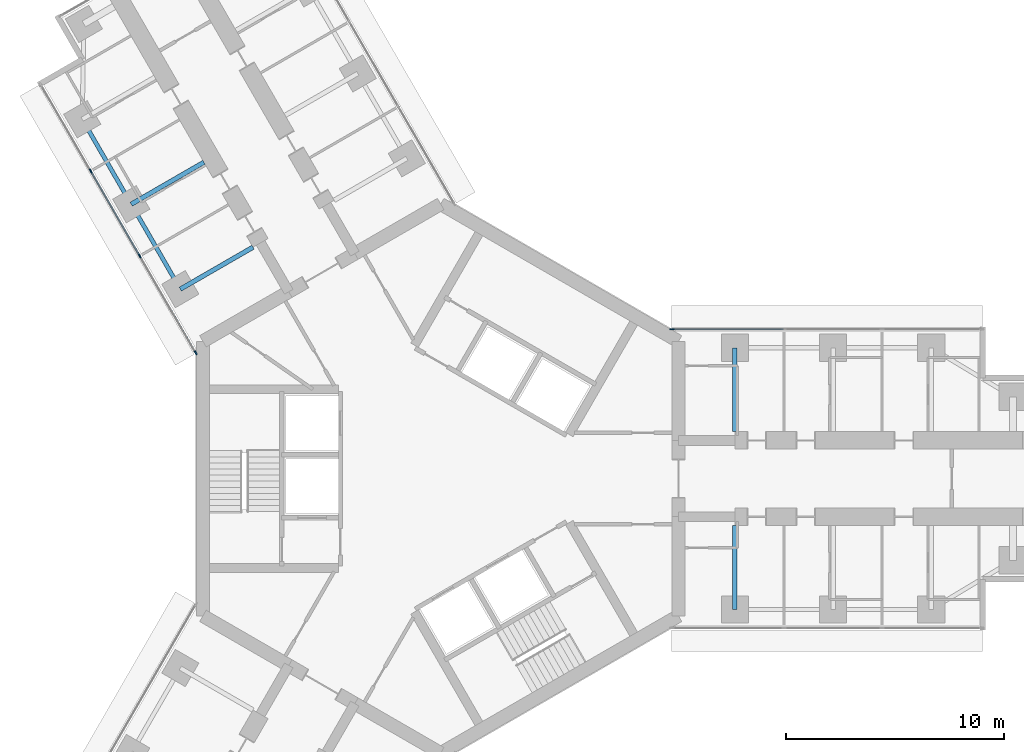
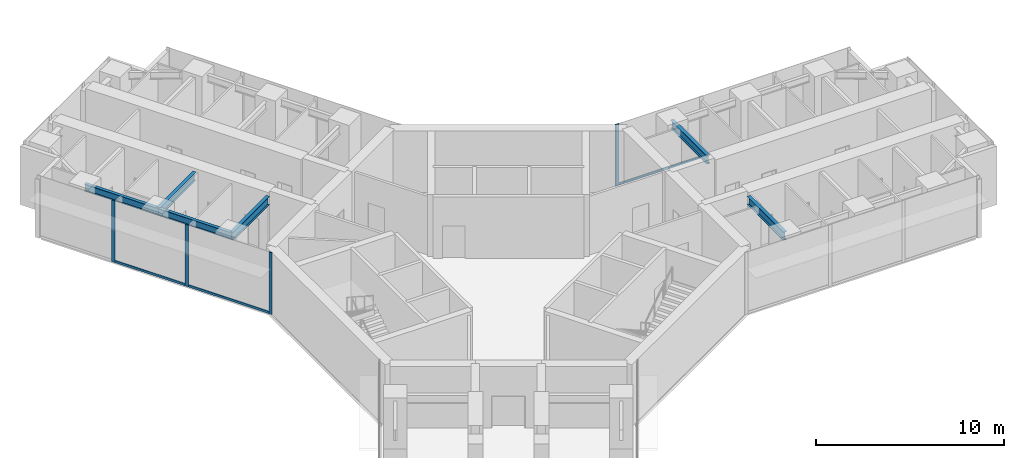
# One storey, part 5 of 23: 7 members, 6 beams, 2 elements without a shape of their own.
"""IFC4 building model written with IfcOpenShell, lengths in metres."""

import ifcopenshell
import ifcopenshell.guid

model = None  # the IFC model being written
_history = None  # IfcOwnerHistory: only IFC2X3 demands one
_inside = {}  # id of a spatial element -> (the spatial element, [elements in it])
_under = {}  # id of a project, library or spatial element -> (it, [spatial elements below it])
_declared = {}  # id of a project -> (the project, [libraries it declares])
_typed = {}  # id of a type object -> (the type object, [elements of that type])
_made_of = {}  # id of a material, layer set ... -> (it, [elements and type objects made of it])


def new_model(schema):
    """Start an empty IFC model of exactly this schema.

    Asked for "IFC4X3", IfcOpenShell would pick the latest addendum, in which some entities
    have other attributes; the version numbers below select the first issue.
    IFC2X3 requires an IfcOwnerHistory on every rooted entity: one is made here for all.
    """
    global model, _history
    if schema == "IFC4X3":
        model = ifcopenshell.file(schema_version=(4, 3, 0, 0))
    else:
        model = ifcopenshell.file(schema=schema)
    _inside.clear()
    _under.clear()
    _declared.clear()
    _typed.clear()
    _made_of.clear()
    _history = None
    if model.schema == "IFC2X3":
        org = make("IfcOrganization", Name="unknown")
        user = make(
            "IfcPersonAndOrganization",
            ThePerson=make("IfcPerson", FamilyName="unknown"),
            TheOrganization=org,
        )
        app = make(
            "IfcApplication",
            ApplicationDeveloper=org,
            Version="unknown",
            ApplicationFullName="unknown",
            ApplicationIdentifier="unknown",
        )
        _history = make(
            "IfcOwnerHistory",
            OwningUser=user,
            OwningApplication=app,
            ChangeAction="ADDED",
            CreationDate=0,
        )
    return model


def make(cls, **values):
    """One entity of the class cls with the attributes given. An attribute that is None is left unset."""
    return model.create_entity(
        cls, **{name: value for name, value in values.items() if value is not None}
    )


def rooted(cls, **values):
    """An entity with a GlobalId (a new one), such as an element, a storey or a relation."""
    return make(cls, GlobalId=ifcopenshell.guid.new(), OwnerHistory=_history, **values)


def si_unit(unit_type, name, prefix=None):
    """IfcSIUnit, for example si_unit("LENGTHUNIT", "METRE", prefix="MILLI")."""
    return make("IfcSIUnit", UnitType=unit_type, Prefix=prefix, Name=name)


def assignment(units):
    """IfcUnitAssignment: the units of a project."""
    return None if units is None else make("IfcUnitAssignment", Units=units)


def point(xyz):
    """IfcCartesianPoint."""
    return None if xyz is None else make("IfcCartesianPoint", Coordinates=xyz)


def direction(xyz):
    """IfcDirection."""
    return None if xyz is None else make("IfcDirection", DirectionRatios=xyz)


def frame(location, z_axis=None, x_axis=None):
    """IfcAxis2Placement3D, a coordinate frame: its origin and axes. An axis left out is left unset."""
    return make(
        "IfcAxis2Placement3D",
        Location=point(location),
        Axis=direction(z_axis),
        RefDirection=direction(x_axis),
    )


def frame_2d(location, x_axis=None):
    """IfcAxis2Placement2D, a coordinate frame in the plane: its origin and x axis."""
    return make(
        "IfcAxis2Placement2D", Location=point(location), RefDirection=direction(x_axis)
    )


def origin():
    """The frame at (0, 0, 0) with its axes left unset."""
    return frame((0.0, 0.0, 0.0))


def origin_2d():
    """The frame at (0, 0) in the plane with its x axis left unset."""
    return frame_2d((0.0, 0.0))


def place(relative_to, where):
    """IfcLocalPlacement: puts the frame where relative to a parent placement (None: the world)."""
    return make(
        "IfcLocalPlacement", PlacementRelTo=relative_to, RelativePlacement=where
    )


def context(
    kind, dimensions, precision=None, world=None, true_north=None, identifier=None
):
    """IfcGeometricRepresentationContext, for example the 3D "Model" context."""
    return make(
        "IfcGeometricRepresentationContext",
        ContextIdentifier=identifier,
        ContextType=kind,
        CoordinateSpaceDimension=dimensions,
        Precision=precision,
        WorldCoordinateSystem=world,
        TrueNorth=true_north,
    )


def subcontext(parent, identifier, kind, view, scale=None):
    """IfcGeometricRepresentationSubContext, for example "Body" below "Model"."""
    return make(
        "IfcGeometricRepresentationSubContext",
        ContextIdentifier=identifier,
        ContextType=kind,
        ParentContext=parent,
        TargetScale=scale,
        TargetView=view,
    )


def project(units=None, contexts=None):
    """IfcProject with its units and contexts."""
    return rooted(
        "IfcProject",
        Name="project",
        RepresentationContexts=contexts,
        UnitsInContext=assignment(units),
    )


def spatial(cls, under=None, at=None, **own):
    """A site, building, storey or space (cls), placed at a placement, below another one or the project."""
    s = rooted(cls, ObjectPlacement=at, **own)
    if under is not None:
        _under.setdefault(under.id(), (under, []))[1].append(s)
    return s


def profile(cls, at=None, kind="AREA", **sizes):
    """A parametric profile (cls). Its sizes go by their IFC names, for example OverallWidth=200.0."""
    return make(cls, ProfileType=kind, Position=at, **sizes)


def rectangle(**sizes):
    """IfcRectangleProfileDef."""
    return profile("IfcRectangleProfileDef", **sizes)


def i_section(**sizes):
    """IfcIShapeProfileDef."""
    return profile("IfcIShapeProfileDef", **sizes)


def extrude(swept, where, along, depth):
    """IfcExtrudedAreaSolid: the profile swept, set in the frame where, extruded along a direction by depth."""
    return make(
        "IfcExtrudedAreaSolid",
        SweptArea=swept,
        Position=where,
        ExtrudedDirection=direction(along),
        Depth=depth,
    )


def shape(context_of_items, identifier, shape_type, items):
    """IfcShapeRepresentation: the items that make up one representation, for example the "Body"."""
    return make(
        "IfcShapeRepresentation",
        ContextOfItems=context_of_items,
        RepresentationIdentifier=identifier,
        RepresentationType=shape_type,
        Items=items,
    )


def material(Name=None, Category=None):
    """IfcMaterial."""
    return make("IfcMaterial", Name=Name, Category=Category)


def material_profile(
    of_material, cross_section, Name=None, Category=None, Priority=None
):
    """IfcMaterialProfile: a cross section and its material."""
    return make(
        "IfcMaterialProfile",
        Name=Name,
        Material=of_material,
        Profile=cross_section,
        Priority=Priority,
        Category=Category,
    )


def profile_set(profiles, Name=None, composite=None):
    """IfcMaterialProfileSet."""
    return make(
        "IfcMaterialProfileSet",
        Name=Name,
        MaterialProfiles=profiles,
        CompositeProfile=composite,
    )


def made_of(thing, what):
    """Note that an element or type object is made of a material, layer set ...; save() writes the relation."""
    if what is not None:
        _made_of.setdefault(what.id(), (what, []))[1].append(thing)
    return thing


def type_object(cls, material=None, **own):
    """A type object (cls), such as IfcWallType, which elements share."""
    return made_of(rooted(cls, **own), material)


def element(
    cls,
    number,
    at=None,
    inside=None,
    cuts=None,
    type_object=None,
    material=None,
    context=None,
    identifier="Body",
    shape_type=None,
    held_by="IfcProductDefinitionShape",
    body=None,
    shapes=None,
    **own,
):
    """One element of the class cls, such as IfcWall. Its Tag is "e" and its number.

    at: its placement. inside: the storey or other place that contains it. cuts: it is an
    opening in that element (IfcRelVoidsElement). A single representation is given by context,
    identifier, shape_type and body (its items); several are given by shapes. held_by: the class
    of the entity that holds the representations. save() writes the other relations.
    """
    e = rooted(cls, Tag="e%d" % number, ObjectPlacement=at, **own)
    if body is not None:
        shapes = [shape(context, identifier, shape_type, body)]
    if shapes is not None:
        e.Representation = make(held_by, Representations=shapes)
    if inside is not None:
        _inside.setdefault(inside.id(), (inside, []))[1].append(e)
    if cuts is not None:
        rooted(
            "IfcRelVoidsElement", RelatingBuildingElement=cuts, RelatedOpeningElement=e
        )
    if type_object is not None:
        _typed.setdefault(type_object.id(), (type_object, []))[1].append(e)
    return made_of(e, material)


def aggregate(whole, parts):
    """IfcRelAggregates: a whole, such as a stair, and the parts it consists of."""
    return rooted("IfcRelAggregates", RelatingObject=whole, RelatedObjects=parts)


def save(model, path):
    """Write the relations noted so far, then the file.

    IfcRelAggregates (storeys below a building ...), IfcRelContainedInSpatialStructure (elements
    in a storey), IfcRelDefinesByType, IfcRelAssociatesMaterial and IfcRelDeclares: one each for
    every whole, place, type object, material and project.
    """
    for whole, parts in _under.values():
        aggregate(whole, parts)
    for where, things in _inside.values():
        rooted(
            "IfcRelContainedInSpatialStructure",
            RelatedElements=things,
            RelatingStructure=where,
        )
    for kind, things in _typed.values():
        rooted("IfcRelDefinesByType", RelatedObjects=things, RelatingType=kind)
    for what, things in _made_of.values():
        rooted("IfcRelAssociatesMaterial", RelatedObjects=things, RelatingMaterial=what)
    for by, libraries in _declared.values():
        rooted("IfcRelDeclares", RelatingContext=by, RelatedDefinitions=libraries)
    model.write(path)


model = new_model("IFC4")

# Units and contexts
model_context = context("Model", 3, precision=1e-05, world=origin(), true_north=direction((0.0, 1.0)))
body_context = subcontext(model_context, "Body", "Model", "MODEL_VIEW")
ifc_project = project(units=[si_unit("LENGTHUNIT", "METRE"), si_unit("AREAUNIT", "SQUARE_METRE"), si_unit("VOLUMEUNIT", "CUBIC_METRE"), si_unit("PLANEANGLEUNIT", "RADIAN"), si_unit("MASSUNIT", "GRAM", prefix="KILO")], contexts=[model_context])

# Site, building, storey
site_placement = place(None, origin())
site = spatial("IfcSite", under=ifc_project, at=site_placement, CompositionType="ELEMENT")
building_placement = place(site_placement, origin())
building = spatial("IfcBuilding", under=site, at=building_placement, Name="Upepo Twin Towers", CompositionType="ELEMENT")
storey_placement = place(building_placement, frame((0.0, 0.0, 157.5)))
storey = spatial("IfcBuildingStorey", under=building, at=storey_placement, Name="L38", CompositionType="ELEMENT", Elevation=157.5)

# Beams
ifc_material_1 = material(Name="Steel S355", Category="steel")
ifc_material_profile_1 = material_profile(ifc_material_1, i_section(OverallWidth=0.1904296875, OverallDepth=0.45703125, WebThickness=0.009033203125, FlangeThickness=0.014404296875, FilletRadius=0.01025390625, at=origin_2d()), Name="UB 457x191x74")
ifc_profile_set_1 = profile_set([ifc_material_profile_1], Name="Steel S355")
beam_type_1 = type_object("IfcBeamType", Name="Beam UB 457x191x74", PredefinedType="BEAM", material=ifc_profile_set_1)
beam_1_placement = place(storey_placement, frame((-11.946044921875, 8.69140625, 3.571533203125), z_axis=(-0.500013631625, 0.866017533419, 0.0), x_axis=(-0.866017533419, -0.500013631625, 0.0)))
element("IfcBeam", 1, at=beam_1_placement, inside=storey, type_object=beam_type_1, Name="T1 edge beam BL 13.5-18.0", PredefinedType="BEAM", context=body_context, shape_type="SweptSolid", body=[
    extrude(i_section(OverallWidth=0.1904296875, OverallDepth=0.45703125, WebThickness=0.009033203125, FlangeThickness=0.014404296875, FilletRadius=0.01025390625, at=origin_2d()), origin(), (0.0, 0.0, 1.0), 4.499755859375),
])
beam_2_placement = place(storey_placement, frame((-14.196044921875, 12.58837890625, 3.571533203125), z_axis=(-0.499990139034, 0.866031096941, 0.0), x_axis=(-0.866031096941, -0.499990139034, 0.0)))
element("IfcBeam", 2, at=beam_2_placement, inside=storey, type_object=beam_type_1, Name="T1 edge beam BL 18.0-22.5", PredefinedType="BEAM", context=body_context, shape_type="SweptSolid", body=[
    extrude(i_section(OverallWidth=0.1904296875, OverallDepth=0.45703125, WebThickness=0.009033203125, FlangeThickness=0.014404296875, FilletRadius=0.01025390625, at=origin_2d()), origin(), (0.0, 0.0, 1.0), 4.5),
])
ifc_material_2 = material(Name="Steel S355", Category="steel")
ifc_material_profile_2 = material_profile(ifc_material_2, i_section(OverallWidth=0.209228515625, OverallDepth=0.533203125, WebThickness=0.010009765625, FlangeThickness=0.015625, FilletRadius=0.0126953125, at=origin_2d()), Name="UB 533x210x92")
ifc_profile_set_2 = profile_set([ifc_material_profile_2], Name="Steel S355")
beam_type_2 = type_object("IfcBeamType", Name="Beam UB 533x210x92", PredefinedType="BEAM", material=ifc_profile_set_2)
for number, where, z_axis, x_axis, name in (
    (3, (13.5, 6.0, 3.533447265625), (0.0, -1.0, 0.0), (1.0, 0.0, 0.0), "T1 girder AL at 13.5"),
    (4, (13.5, -6.0, 3.533447265625), (0.0, 1.0, 0.0), (-1.0, 0.0, 0.0), "T1 girder AR at 13.5"),
):
    element("IfcBeam", number, at=place(storey_placement, frame(where, z_axis=z_axis, x_axis=x_axis)), inside=storey, type_object=beam_type_2, Name=name, PredefinedType="BEAM", context=body_context, shape_type="SweptSolid", body=[
        extrude(i_section(OverallWidth=0.209228515625, OverallDepth=0.533203125, WebThickness=0.010009765625, FlangeThickness=0.015625, FilletRadius=0.0126953125, at=origin_2d()), origin(), (0.0, 0.0, 1.0), 3.85009765625),
    ])
for number, where, z_axis, x_axis, name in (
    (5, (-11.946044921875, 8.69140625, 3.533447265625), (0.866006051527, 0.500033517596, 0.0), (-0.500033517596, 0.866006051527, 0.0), "T1 girder BL at 13.5"),
    (6, (-14.196044921875, 12.58837890625, 3.533447265625), (0.866006051527, 0.500033517596, 0.0), (-0.500033517596, 0.866006051527, 0.0), "T1 girder BL at 18.0"),
):
    element("IfcBeam", number, at=place(storey_placement, frame(where, z_axis=z_axis, x_axis=x_axis)), inside=storey, type_object=beam_type_2, Name=name, PredefinedType="BEAM", context=body_context, shape_type="SweptSolid", body=[
        extrude(i_section(OverallWidth=0.209228515625, OverallDepth=0.533203125, WebThickness=0.010009765625, FlangeThickness=0.015625, FilletRadius=0.0126953125, at=origin_2d()), origin(), (0.0, 0.0, 1.0), 3.849853515625),
    ])

# Curtain wall, member
ifc_material_3 = material(Name="Aluminium and fritted glass", Category="aluminium")
curtain_wall_type = type_object("IfcCurtainWallType", Name="Tower curtain wall TW2, fritted glass", PredefinedType="NOTDEFINED", material=ifc_material_3)
curtain_wall_1_placement = place(storey_placement, origin())
curtain_wall_1 = element("IfcCurtainWall", 7, at=curtain_wall_1_placement, inside=storey, type_object=curtain_wall_type, Name="T1 L38 wing A flank L curtain wall", PredefinedType="NOTDEFINED")
ifc_material_4 = material(Name="Aluminium mullion", Category="aluminium")
ifc_material_profile_3 = material_profile(ifc_material_4, rectangle(XDim=0.06494140625, YDim=0.199951171875, at=origin_2d()), Name="MULLION 65x200")
ifc_profile_set_3 = profile_set([ifc_material_profile_3], Name="Aluminium mullion")
member_type_1 = type_object("IfcMemberType", Name="Mullion 65x200 TW2", PredefinedType="MULLION", material=ifc_profile_set_3)
member_1_placement = place(storey_placement, frame((10.61962890625, 6.85009765625, 0.0), z_axis=(0.0, 0.0, 1.0), x_axis=(0.0, 1.0, 0.0)))
member_1 = element("IfcMember", 8, at=member_1_placement, type_object=member_type_1, Name="T1 L38 wing A flank L curtain wall mullion 1", PredefinedType="MULLION", context=body_context, shape_type="SweptSolid", body=[
    extrude(rectangle(XDim=0.06494140625, YDim=0.199951171875, at=origin_2d()), origin(), (0.0, 0.0, 1.0), 4.0),
])

# Curtain wall, members
curtain_wall_2_placement = place(storey_placement, origin())
curtain_wall_2 = element("IfcCurtainWall", 9, at=curtain_wall_2_placement, inside=storey, type_object=curtain_wall_type, Name="T1 L38 wing B flank L curtain wall", PredefinedType="NOTDEFINED")
member_2_placement = place(storey_placement, frame((-11.2421875, 5.77197265625, 0.0), z_axis=(0.0, 0.0, 1.0), x_axis=(-0.866025397833, -0.500000010308, 0.0)))
member_2 = element("IfcMember", 10, at=member_2_placement, type_object=member_type_1, Name="T1 L38 wing B flank L curtain wall mullion 1", PredefinedType="MULLION", context=body_context, shape_type="SweptSolid", body=[
    extrude(rectangle(XDim=0.06494140625, YDim=0.199951171875, at=origin_2d()), origin(), (0.0, 0.0, 1.0), 4.0),
])
member_3_placement = place(storey_placement, frame((-13.807373046875, 10.21484375, 0.0), z_axis=(0.0, 0.0, 1.0), x_axis=(-0.866025397833, -0.500000010308, 0.0)))
member_3 = element("IfcMember", 11, at=member_3_placement, type_object=member_type_1, Name="T1 L38 wing B flank L curtain wall mullion 2", PredefinedType="MULLION", context=body_context, shape_type="SweptSolid", body=[
    extrude(rectangle(XDim=0.06494140625, YDim=0.199951171875, at=origin_2d()), origin(), (0.0, 0.0, 1.0), 4.0),
])
member_4_placement = place(storey_placement, frame((-16.057373046875, 14.112060546875, 0.0), z_axis=(0.0, 0.0, 1.0), x_axis=(-0.866025397833, -0.500000010308, 0.0)))
member_4 = element("IfcMember", 12, at=member_4_placement, type_object=member_type_1, Name="T1 L38 wing B flank L curtain wall mullion 3", PredefinedType="MULLION", context=body_context, shape_type="SweptSolid", body=[
    extrude(rectangle(XDim=0.06494140625, YDim=0.199951171875, at=origin_2d()), origin(), (0.0, 0.0, 1.0), 4.0),
])

# Member
ifc_material_5 = material(Name="Aluminium transom", Category="aluminium")
ifc_material_profile_4 = material_profile(ifc_material_5, rectangle(XDim=0.06494140625, YDim=0.14990234375, at=origin_2d()), Name="TRANSOM 65x150")
ifc_profile_set_4 = profile_set([ifc_material_profile_4], Name="Aluminium transom")
member_type_2 = type_object("IfcMemberType", Name="Transom 65x150 TW2", PredefinedType="USERDEFINED", material=ifc_profile_set_4)
member_5_placement = place(storey_placement, frame((10.652099609375, 6.85009765625, 0.074951171875), z_axis=(1.0, 0.0, 0.0), x_axis=(0.0, 1.0, 0.0)))
member_5 = element("IfcMember", 13, at=member_5_placement, type_object=member_type_2, Name="T1 L38 wing A flank L curtain wall transom 1", ObjectType="TRANSOM", PredefinedType="USERDEFINED", context=body_context, shape_type="SweptSolid", body=[
    extrude(rectangle(XDim=0.06494140625, YDim=0.14990234375, at=origin_2d()), origin(), (0.0, 0.0, 1.0), 5.0654296875),
])

aggregate(curtain_wall_1, [member_1, member_5])

member_6_placement = place(storey_placement, frame((-11.25830078125, 5.800048828125, 0.074951171875), z_axis=(-0.500006158363, 0.866021848223, 0.0), x_axis=(-0.866021848223, -0.500006158363, 0.0)))
member_6 = element("IfcMember", 14, at=member_6_placement, type_object=member_type_2, Name="T1 L38 wing B flank L curtain wall transom 1", ObjectType="TRANSOM", PredefinedType="USERDEFINED", context=body_context, shape_type="SweptSolid", body=[
    extrude(rectangle(XDim=0.06494140625, YDim=0.14990234375, at=origin_2d()), origin(), (0.0, 0.0, 1.0), 5.0654296875),
])

member_7_placement = place(storey_placement, frame((-13.823486328125, 10.2431640625, 0.074951171875), z_axis=(-0.500005184116, 0.866022410713, 0.0), x_axis=(-0.866022410713, -0.500005184116, 0.0)))
member_7 = element("IfcMember", 15, at=member_7_placement, type_object=member_type_2, Name="T1 L38 wing B flank L curtain wall transom 2", ObjectType="TRANSOM", PredefinedType="USERDEFINED", context=body_context, shape_type="SweptSolid", body=[
    extrude(rectangle(XDim=0.06494140625, YDim=0.14990234375, at=origin_2d()), origin(), (0.0, 0.0, 1.0), 4.43505859375),
])

aggregate(curtain_wall_2, [member_2, member_3, member_4, member_6, member_7])

save(model, "model.ifc")
